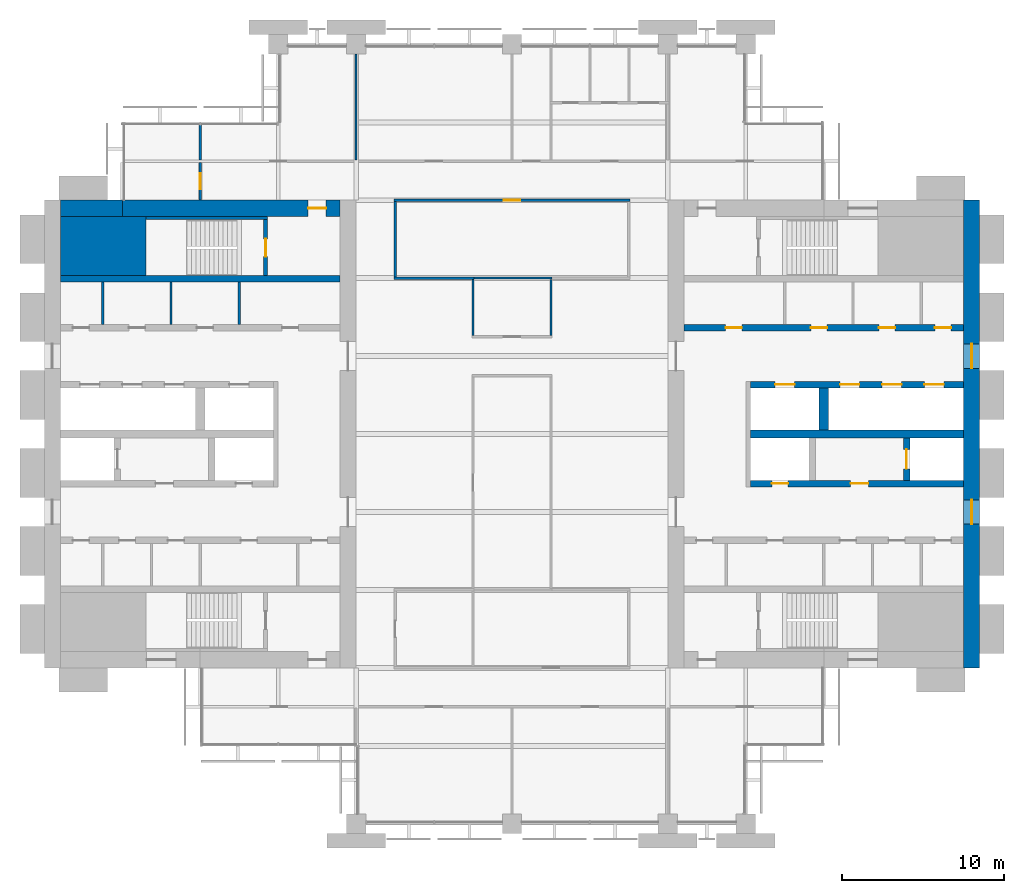
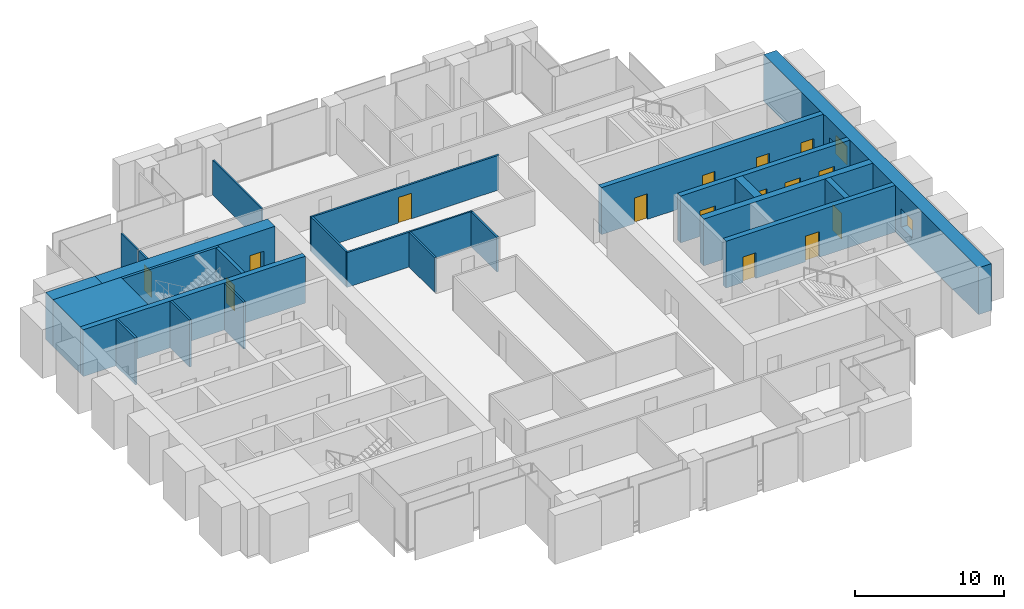
# One storey, part 11 of 14: 25 walls, 15 doors, 2 windows, 17 openings.
"""IFC4 building model written with IfcOpenShell, lengths in metres."""

import ifcopenshell
import ifcopenshell.guid

model = None  # the IFC model being written
_history = None  # IfcOwnerHistory: only IFC2X3 demands one
_inside = {}  # id of a spatial element -> (the spatial element, [elements in it])
_under = {}  # id of a project, library or spatial element -> (it, [spatial elements below it])
_declared = {}  # id of a project -> (the project, [libraries it declares])
_typed = {}  # id of a type object -> (the type object, [elements of that type])
_made_of = {}  # id of a material, layer set ... -> (it, [elements and type objects made of it])


def new_model(schema):
    """Start an empty IFC model of exactly this schema.

    Asked for "IFC4X3", IfcOpenShell would pick the latest addendum, in which some entities
    have other attributes; the version numbers below select the first issue.
    IFC2X3 requires an IfcOwnerHistory on every rooted entity: one is made here for all.
    """
    global model, _history
    if schema == "IFC4X3":
        model = ifcopenshell.file(schema_version=(4, 3, 0, 0))
    else:
        model = ifcopenshell.file(schema=schema)
    _inside.clear()
    _under.clear()
    _declared.clear()
    _typed.clear()
    _made_of.clear()
    _history = None
    if model.schema == "IFC2X3":
        org = make("IfcOrganization", Name="unknown")
        user = make(
            "IfcPersonAndOrganization",
            ThePerson=make("IfcPerson", FamilyName="unknown"),
            TheOrganization=org,
        )
        app = make(
            "IfcApplication",
            ApplicationDeveloper=org,
            Version="unknown",
            ApplicationFullName="unknown",
            ApplicationIdentifier="unknown",
        )
        _history = make(
            "IfcOwnerHistory",
            OwningUser=user,
            OwningApplication=app,
            ChangeAction="ADDED",
            CreationDate=0,
        )
    return model


def make(cls, **values):
    """One entity of the class cls with the attributes given. An attribute that is None is left unset."""
    return model.create_entity(
        cls, **{name: value for name, value in values.items() if value is not None}
    )


def rooted(cls, **values):
    """An entity with a GlobalId (a new one), such as an element, a storey or a relation."""
    return make(cls, GlobalId=ifcopenshell.guid.new(), OwnerHistory=_history, **values)


def si_unit(unit_type, name, prefix=None):
    """IfcSIUnit, for example si_unit("LENGTHUNIT", "METRE", prefix="MILLI")."""
    return make("IfcSIUnit", UnitType=unit_type, Prefix=prefix, Name=name)


def assignment(units):
    """IfcUnitAssignment: the units of a project."""
    return None if units is None else make("IfcUnitAssignment", Units=units)


def point(xyz):
    """IfcCartesianPoint."""
    return None if xyz is None else make("IfcCartesianPoint", Coordinates=xyz)


def direction(xyz):
    """IfcDirection."""
    return None if xyz is None else make("IfcDirection", DirectionRatios=xyz)


def frame(location, z_axis=None, x_axis=None):
    """IfcAxis2Placement3D, a coordinate frame: its origin and axes. An axis left out is left unset."""
    return make(
        "IfcAxis2Placement3D",
        Location=point(location),
        Axis=direction(z_axis),
        RefDirection=direction(x_axis),
    )


def frame_2d(location, x_axis=None):
    """IfcAxis2Placement2D, a coordinate frame in the plane: its origin and x axis."""
    return make(
        "IfcAxis2Placement2D", Location=point(location), RefDirection=direction(x_axis)
    )


def origin():
    """The frame at (0, 0, 0) with its axes left unset."""
    return frame((0.0, 0.0, 0.0))


def place(relative_to, where):
    """IfcLocalPlacement: puts the frame where relative to a parent placement (None: the world)."""
    return make(
        "IfcLocalPlacement", PlacementRelTo=relative_to, RelativePlacement=where
    )


def context(
    kind, dimensions, precision=None, world=None, true_north=None, identifier=None
):
    """IfcGeometricRepresentationContext, for example the 3D "Model" context."""
    return make(
        "IfcGeometricRepresentationContext",
        ContextIdentifier=identifier,
        ContextType=kind,
        CoordinateSpaceDimension=dimensions,
        Precision=precision,
        WorldCoordinateSystem=world,
        TrueNorth=true_north,
    )


def subcontext(parent, identifier, kind, view, scale=None):
    """IfcGeometricRepresentationSubContext, for example "Body" below "Model"."""
    return make(
        "IfcGeometricRepresentationSubContext",
        ContextIdentifier=identifier,
        ContextType=kind,
        ParentContext=parent,
        TargetScale=scale,
        TargetView=view,
    )


def project(units=None, contexts=None):
    """IfcProject with its units and contexts."""
    return rooted(
        "IfcProject",
        Name="project",
        RepresentationContexts=contexts,
        UnitsInContext=assignment(units),
    )


def spatial(cls, under=None, at=None, **own):
    """A site, building, storey or space (cls), placed at a placement, below another one or the project."""
    s = rooted(cls, ObjectPlacement=at, **own)
    if under is not None:
        _under.setdefault(under.id(), (under, []))[1].append(s)
    return s


def profile(cls, at=None, kind="AREA", **sizes):
    """A parametric profile (cls). Its sizes go by their IFC names, for example OverallWidth=200.0."""
    return make(cls, ProfileType=kind, Position=at, **sizes)


def rectangle(**sizes):
    """IfcRectangleProfileDef."""
    return profile("IfcRectangleProfileDef", **sizes)


def extrude(swept, where, along, depth):
    """IfcExtrudedAreaSolid: the profile swept, set in the frame where, extruded along a direction by depth."""
    return make(
        "IfcExtrudedAreaSolid",
        SweptArea=swept,
        Position=where,
        ExtrudedDirection=direction(along),
        Depth=depth,
    )


def shape(context_of_items, identifier, shape_type, items):
    """IfcShapeRepresentation: the items that make up one representation, for example the "Body"."""
    return make(
        "IfcShapeRepresentation",
        ContextOfItems=context_of_items,
        RepresentationIdentifier=identifier,
        RepresentationType=shape_type,
        Items=items,
    )


def material(Name=None, Category=None):
    """IfcMaterial."""
    return make("IfcMaterial", Name=Name, Category=Category)


def layer(
    of_material, thickness, ventilated=None, Name=None, Category=None, Priority=None
):
    """IfcMaterialLayer: one layer of a wall or slab, of a material (None: an air gap)."""
    return make(
        "IfcMaterialLayer",
        Material=of_material,
        LayerThickness=thickness,
        IsVentilated=ventilated,
        Name=Name,
        Category=Category,
        Priority=Priority,
    )


def layer_set(layers, Name=None):
    """IfcMaterialLayerSet."""
    return make("IfcMaterialLayerSet", MaterialLayers=layers, LayerSetName=Name)


def made_of(thing, what):
    """Note that an element or type object is made of a material, layer set ...; save() writes the relation."""
    if what is not None:
        _made_of.setdefault(what.id(), (what, []))[1].append(thing)
    return thing


def type_object(cls, material=None, **own):
    """A type object (cls), such as IfcWallType, which elements share."""
    return made_of(rooted(cls, **own), material)


def element(
    cls,
    number,
    at=None,
    inside=None,
    cuts=None,
    type_object=None,
    material=None,
    context=None,
    identifier="Body",
    shape_type=None,
    held_by="IfcProductDefinitionShape",
    body=None,
    shapes=None,
    **own,
):
    """One element of the class cls, such as IfcWall. Its Tag is "e" and its number.

    at: its placement. inside: the storey or other place that contains it. cuts: it is an
    opening in that element (IfcRelVoidsElement). A single representation is given by context,
    identifier, shape_type and body (its items); several are given by shapes. held_by: the class
    of the entity that holds the representations. save() writes the other relations.
    """
    e = rooted(cls, Tag="e%d" % number, ObjectPlacement=at, **own)
    if body is not None:
        shapes = [shape(context, identifier, shape_type, body)]
    if shapes is not None:
        e.Representation = make(held_by, Representations=shapes)
    if inside is not None:
        _inside.setdefault(inside.id(), (inside, []))[1].append(e)
    if cuts is not None:
        rooted(
            "IfcRelVoidsElement", RelatingBuildingElement=cuts, RelatedOpeningElement=e
        )
    if type_object is not None:
        _typed.setdefault(type_object.id(), (type_object, []))[1].append(e)
    return made_of(e, material)


def fill(opening, filler):
    """IfcRelFillsElement: the door or window that sits in an opening."""
    return rooted(
        "IfcRelFillsElement",
        RelatingOpeningElement=opening,
        RelatedBuildingElement=filler,
    )


def aggregate(whole, parts):
    """IfcRelAggregates: a whole, such as a stair, and the parts it consists of."""
    return rooted("IfcRelAggregates", RelatingObject=whole, RelatedObjects=parts)


def save(model, path):
    """Write the relations noted so far, then the file.

    IfcRelAggregates (storeys below a building ...), IfcRelContainedInSpatialStructure (elements
    in a storey), IfcRelDefinesByType, IfcRelAssociatesMaterial and IfcRelDeclares: one each for
    every whole, place, type object, material and project.
    """
    for whole, parts in _under.values():
        aggregate(whole, parts)
    for where, things in _inside.values():
        rooted(
            "IfcRelContainedInSpatialStructure",
            RelatedElements=things,
            RelatingStructure=where,
        )
    for kind, things in _typed.values():
        rooted("IfcRelDefinesByType", RelatedObjects=things, RelatingType=kind)
    for what, things in _made_of.values():
        rooted("IfcRelAssociatesMaterial", RelatedObjects=things, RelatingMaterial=what)
    for by, libraries in _declared.values():
        rooted("IfcRelDeclares", RelatingContext=by, RelatedDefinitions=libraries)
    model.write(path)


model = new_model("IFC4")

# Units and contexts
model_context = context("Model", 3, precision=1e-05, world=origin(), true_north=direction((0.0, 1.0)))
body_context = subcontext(model_context, "Body", "Model", "MODEL_VIEW")
ifc_project = project(units=[si_unit("LENGTHUNIT", "METRE"), si_unit("AREAUNIT", "SQUARE_METRE"), si_unit("VOLUMEUNIT", "CUBIC_METRE"), si_unit("PLANEANGLEUNIT", "RADIAN"), si_unit("MASSUNIT", "GRAM", prefix="KILO")], contexts=[model_context])

# Site, building, storey
site_placement = place(None, origin())
site = spatial("IfcSite", under=ifc_project, at=site_placement, CompositionType="ELEMENT")
building_placement = place(site_placement, origin())
building = spatial("IfcBuilding", under=site, at=building_placement, Name="Baori Bourse Tower", CompositionType="ELEMENT")
storey_placement = place(building_placement, frame((0.0, 0.0, 160.10009765625)))
storey = spatial("IfcBuildingStorey", under=building, at=storey_placement, Name="L35", CompositionType="ELEMENT", Elevation=160.10009765625)

# Walls
ifc_material_1 = material(Name="Concrete f'c 60 MPa", Category="concrete")
wall_type_1 = type_object("IfcWallType", Name="Core corner block f'c 60", PredefinedType="SHEAR", material=ifc_material_1)
wall_1_placement = place(storey_placement, frame((1.0, 35.574951171875, 0.0), z_axis=(0.0, 0.0, 1.0), x_axis=(1.0, 0.0, 0.0)))
element("IfcWall", 1, at=wall_1_placement, inside=storey, type_object=wall_type_1, Name="Core wall W27", PredefinedType="SHEAR", context=body_context, shape_type="SweptSolid", body=[
    extrude(rectangle(XDim=5.25, YDim=3.64990234375, at=frame_2d((2.625, 0.0))), origin(), (0.0, 0.0, 1.0), 3.83984375),
])
ifc_material_2 = material(Name="Blockwork partition", Category="masonry")
ifc_layer_1 = layer(ifc_material_2, 0.14990234375)
ifc_layer_set_1 = layer_set([ifc_layer_1], Name="Core partition 150")
wall_type_2 = type_object("IfcWallType", Name="Core partition 150", PredefinedType="PARTITIONING", material=ifc_layer_set_1)
for number, where, z_axis, x_axis, name in (
    (2, (3.60009765625, 30.75, 0.0), (0.0, 0.0, 1.0), (0.0, 1.0, 0.0), "Partition wall W23"),
    (3, (7.800048828125, 30.75, 0.0), (0.0, 0.0, 1.0), (0.0, 1.0, 0.0), "Partition wall W24"),
    (4, (12.0, 30.75, 0.0), (0.0, 0.0, 1.0), (0.0, 1.0, 0.0), "Partition wall W25"),
):
    element("IfcWall", number, at=place(storey_placement, frame(where, z_axis=z_axis, x_axis=x_axis)), inside=storey, type_object=wall_type_2, Name=name, PredefinedType="PARTITIONING", context=body_context, shape_type="SweptSolid", body=[
        extrude(rectangle(XDim=2.60009765625, YDim=0.14990234375, at=frame_2d((1.300048828125, 0.0))), origin(), (0.0, 0.0, 1.0), 3.83984375),
    ])
ifc_material_3 = material(Name="Concrete f'c 60 MPa", Category="concrete")
ifc_layer_2 = layer(ifc_material_3, 1.0)
ifc_layer_set_2 = layer_set([ifc_layer_2], Name="Core wall 1000 f'c 60")
wall_type_3 = type_object("IfcWallType", Name="Core wall 1000 f'c 60", PredefinedType="SHEAR", material=ifc_layer_set_2)
wall_2_placement = place(storey_placement, frame((1.0, 37.89990234375, 0.0), z_axis=(0.0, 0.0, 1.0), x_axis=(1.0, 0.0, 0.0)))
element("IfcWall", 5, at=wall_2_placement, inside=storey, type_object=wall_type_3, Name="Core wall W30", PredefinedType="SHEAR", context=body_context, shape_type="SweptSolid", body=[
    extrude(rectangle(XDim=3.800048828125, YDim=1.0, at=frame_2d((1.89990234375, 0.0))), origin(), (0.0, 0.0, 1.0), 3.83984375),
])

# Wall, opening, door
wall_3_placement = place(storey_placement, frame((4.800048828125, 37.89990234375, 0.0), z_axis=(0.0, 0.0, 1.0), x_axis=(1.0, 0.0, 0.0)))
wall_3 = element("IfcWall", 6, at=wall_3_placement, inside=storey, type_object=wall_type_3, Name="Core wall W31", PredefinedType="SHEAR", context=body_context, shape_type="SweptSolid", body=[
    extrude(rectangle(XDim=13.39990234375, YDim=1.0, at=frame_2d((6.699951171875, 0.0))), origin(), (0.0, 0.0, 1.0), 3.83984375),
])
opening_1_placement = place(wall_3_placement, frame((11.449951171875, 0.0, 0.0)))
opening_1 = element("IfcOpeningElement", 7, at=opening_1_placement, cuts=wall_3, Name="Opening L35-D104", PredefinedType="OPENING", context=body_context, shape_type="SweptSolid", body=[
    extrude(rectangle(XDim=1.10009765625, YDim=2.10009765625, at=frame_2d((0.550048828125, 1.050048828125))), frame((0.0, 0.510009765625, 0.0), z_axis=(0.0, -1.0, 0.0), x_axis=(1.0, 0.0, 0.0)), (0.0, 0.0, 1.0), 1.02001953125),
])
ifc_material_4 = material(Name="Painted steel door", Category="steel")
door_type_1 = type_object("IfcDoorType", Name="Stair door 1100", OperationType="SINGLE_SWING_LEFT", PredefinedType="DOOR", material=ifc_material_4)
door_1_placement = place(opening_1_placement, origin())
door_1 = element("IfcDoor", 8, at=door_1_placement, inside=storey, type_object=door_type_1, Name="Stair vestibule door B W L35", OperationType="SINGLE_SWING_LEFT", OverallHeight=2.10009765625, OverallWidth=1.10009765625, PredefinedType="DOOR", context=body_context, shape_type="SweptSolid", body=[
    extrude(rectangle(XDim=1.10009765625, YDim=2.10009765625, at=frame_2d((0.550048828125, 1.050048828125))), frame((0.0, 0.02490234375, 0.0), z_axis=(0.0, -1.0, 0.0), x_axis=(1.0, 0.0, 0.0)), (0.0, 0.0, 1.0), 0.050048828125),
])
fill(opening_1, door_1)

# Wall, openings, windows
wall_4_placement = place(storey_placement, frame((57.10009765625, 38.39990234375, 0.0), z_axis=(0.0, 0.0, 1.0), x_axis=(0.0, -1.0, 0.0)))
wall_4 = element("IfcWall", 9, at=wall_4_placement, inside=storey, type_object=wall_type_3, Name="Core wall E01", PredefinedType="SHEAR", context=body_context, shape_type="SweptSolid", body=[
    extrude(rectangle(XDim=28.7998046875, YDim=1.0, at=frame_2d((14.39990234375, 0.0))), origin(), (0.0, 0.0, 1.0), 3.83984375),
])
opening_2_placement = place(wall_4_placement, frame((18.449951171875, 0.0, 0.89990234375)))
opening_2 = element("IfcOpeningElement", 10, at=opening_2_placement, cuts=wall_4, Name="Opening L35-KW201", PredefinedType="OPENING", context=body_context, shape_type="SweptSolid", body=[
    extrude(rectangle(XDim=1.5, YDim=1.5, at=frame_2d((0.75, 0.75))), frame((0.0, 0.510009765625, 0.0), z_axis=(0.0, -1.0, 0.0), x_axis=(1.0, 0.0, 0.0)), (0.0, 0.0, 1.0), 1.02001953125),
])
opening_3_placement = place(wall_4_placement, frame((8.85009765625, 0.0, 0.89990234375)))
opening_3 = element("IfcOpeningElement", 11, at=opening_3_placement, cuts=wall_4, Name="Opening L35-KW202", PredefinedType="OPENING", context=body_context, shape_type="SweptSolid", body=[
    extrude(rectangle(XDim=1.5, YDim=1.5, at=frame_2d((0.75, 0.75))), frame((0.0, 0.510009765625, 0.0), z_axis=(0.0, -1.0, 0.0), x_axis=(1.0, 0.0, 0.0)), (0.0, 0.0, 1.0), 1.02001953125),
])
ifc_material_5 = material(Name="Pale anodised aluminium", Category="aluminium")
window_type = type_object("IfcWindowType", Name="Lobby window 1500 x 1500", PartitioningType="SINGLE_PANEL", PredefinedType="WINDOW", material=ifc_material_5)
window_1_placement = place(opening_2_placement, origin())
window_1 = element("IfcWindow", 12, at=window_1_placement, inside=storey, type_object=window_type, Name="Outer wall window E L35 1", OverallHeight=1.5, OverallWidth=1.5, PartitioningType="SINGLE_PANEL", PredefinedType="WINDOW", context=body_context, shape_type="SweptSolid", body=[
    extrude(rectangle(XDim=1.5, YDim=1.5, at=frame_2d((0.75, 0.75))), frame((0.0, 0.030029296875, 0.0), z_axis=(0.0, -1.0, 0.0), x_axis=(1.0, 0.0, 0.0)), (0.0, 0.0, 1.0), 0.06005859375),
])
fill(opening_2, window_1)
window_2_placement = place(opening_3_placement, origin())
window_2 = element("IfcWindow", 13, at=window_2_placement, inside=storey, type_object=window_type, Name="Outer wall window E L35 2", OverallHeight=1.5, OverallWidth=1.5, PartitioningType="SINGLE_PANEL", PredefinedType="WINDOW", context=body_context, shape_type="SweptSolid", body=[
    extrude(rectangle(XDim=1.5, YDim=1.5, at=frame_2d((0.75, 0.75))), frame((0.0, 0.030029296875, 0.0), z_axis=(0.0, -1.0, 0.0), x_axis=(1.0, 0.0, 0.0)), (0.0, 0.0, 1.0), 0.06005859375),
])
fill(opening_3, window_2)

# Wall
ifc_material_6 = material(Name="Gypsum board partition")
ifc_layer_3 = layer(ifc_material_6, 0.14990234375)
ifc_layer_set_3 = layer_set([ifc_layer_3], Name="Corridor partition 150")
wall_type_4 = type_object("IfcWallType", Name="Corridor partition 150", PredefinedType="PARTITIONING", material=ifc_layer_set_3)
wall_5_placement = place(storey_placement, frame((21.52490234375, 33.60009765625, 0.0), z_axis=(0.0, 0.0, 1.0), x_axis=(1.0, 0.0, 0.0)))
element("IfcWall", 14, at=wall_5_placement, inside=storey, type_object=wall_type_4, Name="Partition", PredefinedType="PARTITIONING", context=body_context, shape_type="SweptSolid", body=[
    extrude(rectangle(XDim=4.9501953125, YDim=0.14990234375, at=frame_2d((2.47509765625, 0.0))), origin(), (0.0, 0.0, 1.0), 2.849365234375),
])

# Wall, opening, door
wall_6_placement = place(storey_placement, frame((21.52490234375, 38.39990234375, 0.0), z_axis=(0.0, 0.0, 1.0), x_axis=(1.0, 0.0, 0.0)))
wall_6 = element("IfcWall", 15, at=wall_6_placement, inside=storey, type_object=wall_type_4, Name="Partition", PredefinedType="PARTITIONING", context=body_context, shape_type="SweptSolid", body=[
    extrude(rectangle(XDim=14.550048828125, YDim=0.14990234375, at=frame_2d((7.27490234375, 0.0))), origin(), (0.0, 0.0, 1.0), 2.849365234375),
])
opening_4_placement = place(wall_6_placement, frame((6.77490234375, 0.0, 0.0)))
opening_4 = element("IfcOpeningElement", 16, at=opening_4_placement, cuts=wall_6, Name="Opening L35-D07", PredefinedType="OPENING", context=body_context, shape_type="SweptSolid", body=[
    extrude(rectangle(XDim=1.0, YDim=2.10009765625, at=frame_2d((0.5, 1.050048828125))), frame((0.0, 0.0849609375, 0.0), z_axis=(0.0, -1.0, 0.0), x_axis=(1.0, 0.0, 0.0)), (0.0, 0.0, 1.0), 0.169921875),
])
ifc_material_7 = material(Name="Timber door leaf", Category="wood")
door_type_2 = type_object("IfcDoorType", Name="Door 1000 x 2100", OperationType="SINGLE_SWING_LEFT", PredefinedType="DOOR", material=ifc_material_7)
door_2_placement = place(opening_4_placement, origin())
door_2 = element("IfcDoor", 17, at=door_2_placement, inside=storey, type_object=door_type_2, Name="Door", OperationType="SINGLE_SWING_LEFT", OverallHeight=2.10009765625, OverallWidth=1.0, PredefinedType="DOOR", context=body_context, shape_type="SweptSolid", body=[
    extrude(rectangle(XDim=1.0, YDim=2.10009765625, at=frame_2d((0.5, 1.050048828125))), frame((0.0, 0.02490234375, 0.0), z_axis=(0.0, -1.0, 0.0), x_axis=(1.0, 0.0, 0.0)), (0.0, 0.0, 1.0), 0.050048828125),
])
fill(opening_4, door_2)

wall_7_placement = place(storey_placement, frame((9.60009765625, 38.39990234375, 0.0), z_axis=(0.0, 0.0, 1.0), x_axis=(0.0, 1.0, 0.0)))
wall_7 = element("IfcWall", 18, at=wall_7_placement, inside=storey, type_object=wall_type_4, Name="Partition", PredefinedType="PARTITIONING", context=body_context, shape_type="SweptSolid", body=[
    extrude(rectangle(XDim=2.3251953125, YDim=0.14990234375, at=frame_2d((1.16259765625, 0.0))), origin(), (0.0, 0.0, 1.0), 2.849365234375),
])
opening_5_placement = place(wall_7_placement, frame((0.66259765625, 0.0, 0.0)))
opening_5 = element("IfcOpeningElement", 19, at=opening_5_placement, cuts=wall_7, Name="Opening L35-D16", PredefinedType="OPENING", context=body_context, shape_type="SweptSolid", body=[
    extrude(rectangle(XDim=1.0, YDim=2.10009765625, at=frame_2d((0.5, 1.050048828125))), frame((0.0, 0.0849609375, 0.0), z_axis=(0.0, -1.0, 0.0), x_axis=(1.0, 0.0, 0.0)), (0.0, 0.0, 1.0), 0.169921875),
])
door_3_placement = place(opening_5_placement, origin())
door_3 = element("IfcDoor", 20, at=door_3_placement, inside=storey, type_object=door_type_2, Name="Door", OperationType="SINGLE_SWING_RIGHT", OverallHeight=2.10009765625, OverallWidth=1.0, PredefinedType="DOOR", context=body_context, shape_type="SweptSolid", body=[
    extrude(rectangle(XDim=1.0, YDim=2.10009765625, at=frame_2d((0.5, 1.050048828125))), frame((0.0, 0.02490234375, 0.0), z_axis=(0.0, -1.0, 0.0), x_axis=(1.0, 0.0, 0.0)), (0.0, 0.0, 1.0), 0.050048828125),
])
fill(opening_5, door_3)

# Walls
wall_8_placement = place(storey_placement, frame((21.60009765625, 33.675048828125, 0.0), z_axis=(0.0, 0.0, 1.0), x_axis=(0.0, 1.0, 0.0)))
element("IfcWall", 21, at=wall_8_placement, inside=storey, type_object=wall_type_4, Name="Partition", PredefinedType="PARTITIONING", context=body_context, shape_type="SweptSolid", body=[
    extrude(rectangle(XDim=4.64990234375, YDim=0.14990234375, at=frame_2d((2.324951171875, 0.0))), origin(), (0.0, 0.0, 1.0), 2.849365234375),
])
for number, where, z_axis, x_axis, name in (
    (22, (26.39990234375, 30.074951171875, 0.0), (0.0, 0.0, 1.0), (0.0, 1.0, 0.0), "Partition"),
    (23, (31.199951171875, 30.074951171875, 0.0), (0.0, 0.0, 1.0), (0.0, 1.0, 0.0), "Partition"),
):
    element("IfcWall", number, at=place(storey_placement, frame(where, z_axis=z_axis, x_axis=x_axis)), inside=storey, type_object=wall_type_4, Name=name, PredefinedType="PARTITIONING", context=body_context, shape_type="SweptSolid", body=[
        extrude(rectangle(XDim=3.449951171875, YDim=0.14990234375, at=frame_2d((1.72509765625, 0.0))), origin(), (0.0, 0.0, 1.0), 2.849365234375),
    ])
ifc_material_8 = material(Name="Gypsum board partition")
ifc_layer_4 = layer(ifc_material_8, 0.125)
ifc_layer_set_4 = layer_set([ifc_layer_4], Name="Partition 125")
wall_type_5 = type_object("IfcWallType", Name="Partition 125", PredefinedType="PARTITIONING", material=ifc_layer_set_4)
wall_9_placement = place(storey_placement, frame((26.47509765625, 33.60009765625, 0.0), z_axis=(0.0, 0.0, 1.0), x_axis=(1.0, 0.0, 0.0)))
element("IfcWall", 24, at=wall_9_placement, inside=storey, type_object=wall_type_5, Name="Partition", PredefinedType="PARTITIONING", context=body_context, shape_type="SweptSolid", body=[
    extrude(rectangle(XDim=4.7998046875, YDim=0.125, at=frame_2d((2.39990234375, 0.0))), origin(), (0.0, 0.0, 1.0), 2.849365234375),
])
wall_10_placement = place(storey_placement, frame((9.60009765625, 40.875, 0.0), z_axis=(0.0, 0.0, 1.0), x_axis=(0.0, 1.0, 0.0)))
element("IfcWall", 25, at=wall_10_placement, inside=storey, type_object=wall_type_5, Name="Partition", PredefinedType="PARTITIONING", context=body_context, shape_type="SweptSolid", body=[
    extrude(rectangle(XDim=2.22509765625, YDim=0.125, at=frame_2d((1.112548828125, 0.0))), origin(), (0.0, 0.0, 1.0), 2.849365234375),
])
wall_11_placement = place(storey_placement, frame((19.199951171875, 40.875, 0.0), z_axis=(0.0, 0.0, 1.0), x_axis=(0.0, 1.0, 0.0)))
element("IfcWall", 26, at=wall_11_placement, inside=storey, type_object=wall_type_5, Name="Partition", PredefinedType="PARTITIONING", context=body_context, shape_type="SweptSolid", body=[
    extrude(rectangle(XDim=6.52490234375, YDim=0.125, at=frame_2d((3.262451171875, 0.0))), origin(), (0.0, 0.0, 1.0), 2.849365234375),
])
ifc_material_9 = material(Name="Concrete f'c 60 MPa", Category="concrete")
ifc_layer_5 = layer(ifc_material_9, 0.199951171875)
ifc_layer_set_5 = layer_set([ifc_layer_5], Name="Shaft wall 200 f'c 60")
wall_type_6 = type_object("IfcWallType", Name="Shaft wall 200 f'c 60", PredefinedType="SHEAR", material=ifc_layer_set_5)
wall_12_placement = place(storey_placement, frame((6.25, 37.300048828125, 0.0), z_axis=(0.0, 0.0, 1.0), x_axis=(1.0, 0.0, 0.0)))
element("IfcWall", 27, at=wall_12_placement, inside=storey, type_object=wall_type_6, Name="Core wall W29", PredefinedType="SHEAR", context=body_context, shape_type="SweptSolid", body=[
    extrude(rectangle(XDim=7.5, YDim=0.199951171875, at=frame_2d((3.75, 0.0))), origin(), (0.0, 0.0, 1.0), 3.83984375),
])

# Wall, opening, door
ifc_material_10 = material(Name="Concrete f'c 60 MPa", Category="concrete")
ifc_layer_6 = layer(ifc_material_10, 0.25)
ifc_layer_set_6 = layer_set([ifc_layer_6], Name="Shaft wall 250 f'c 60")
wall_type_7 = type_object("IfcWallType", Name="Shaft wall 250 f'c 60", PredefinedType="SHEAR", material=ifc_layer_set_6)
wall_13_placement = place(storey_placement, frame((13.625, 33.75, 0.0), z_axis=(0.0, 0.0, 1.0), x_axis=(0.0, 1.0, 0.0)))
wall_13 = element("IfcWall", 28, at=wall_13_placement, inside=storey, type_object=wall_type_7, Name="Core wall W28", PredefinedType="SHEAR", context=body_context, shape_type="SweptSolid", body=[
    extrude(rectangle(XDim=3.449951171875, YDim=0.25, at=frame_2d((1.72509765625, 0.0))), origin(), (0.0, 0.0, 1.0), 3.83984375),
])
opening_6_placement = place(wall_13_placement, frame((1.175048828125, 0.0, 0.0)))
opening_6 = element("IfcOpeningElement", 29, at=opening_6_placement, cuts=wall_13, Name="Opening L35-D103", PredefinedType="OPENING", context=body_context, shape_type="SweptSolid", body=[
    extrude(rectangle(XDim=1.10009765625, YDim=2.10009765625, at=frame_2d((0.550048828125, 1.050048828125))), frame((0.0, 0.135009765625, 0.0), z_axis=(0.0, -1.0, 0.0), x_axis=(1.0, 0.0, 0.0)), (0.0, 0.0, 1.0), 0.27001953125),
])
door_4_placement = place(opening_6_placement, origin())
door_4 = element("IfcDoor", 30, at=door_4_placement, inside=storey, type_object=door_type_1, Name="Stair door B W L35", OperationType="SINGLE_SWING_LEFT", OverallHeight=2.10009765625, OverallWidth=1.10009765625, PredefinedType="DOOR", context=body_context, shape_type="SweptSolid", body=[
    extrude(rectangle(XDim=1.10009765625, YDim=2.10009765625, at=frame_2d((0.550048828125, 1.050048828125))), frame((0.0, 0.02490234375, 0.0), z_axis=(0.0, -1.0, 0.0), x_axis=(1.0, 0.0, 0.0)), (0.0, 0.0, 1.0), 0.050048828125),
])
fill(opening_6, door_4)

# Wall
ifc_material_11 = material(Name="Concrete f'c 60 MPa", Category="concrete")
ifc_layer_7 = layer(ifc_material_11, 0.39990234375)
ifc_layer_set_7 = layer_set([ifc_layer_7], Name="Shaft wall 400 f'c 60")
wall_type_8 = type_object("IfcWallType", Name="Shaft wall 400 f'c 60", PredefinedType="SHEAR", material=ifc_layer_set_7)
wall_14_placement = place(storey_placement, frame((1.0, 33.550048828125, 0.0), z_axis=(0.0, 0.0, 1.0), x_axis=(1.0, 0.0, 0.0)))
element("IfcWall", 31, at=wall_14_placement, inside=storey, type_object=wall_type_8, Name="Core wall W26", PredefinedType="SHEAR", context=body_context, shape_type="SweptSolid", body=[
    extrude(rectangle(XDim=17.199951171875, YDim=0.39990234375, at=frame_2d((8.60009765625, 0.0))), origin(), (0.0, 0.0, 1.0), 3.83984375),
])

# Wall, openings, doors
wall_15_placement = place(storey_placement, frame((43.5, 20.949951171875, 0.0), z_axis=(0.0, 0.0, 1.0), x_axis=(1.0, 0.0, 0.0)))
wall_15 = element("IfcWall", 32, at=wall_15_placement, inside=storey, type_object=wall_type_8, Name="Core wall E15", PredefinedType="SHEAR", context=body_context, shape_type="SweptSolid", body=[
    extrude(rectangle(XDim=13.10009765625, YDim=0.39990234375, at=frame_2d((6.550048828125, 0.0))), origin(), (0.0, 0.0, 1.0), 3.83984375),
])
opening_7_placement = place(wall_15_placement, frame((6.14990234375, 0.0, 0.0)))
opening_7 = element("IfcOpeningElement", 33, at=opening_7_placement, cuts=wall_15, Name="Opening L35-D205", PredefinedType="OPENING", context=body_context, shape_type="SweptSolid", body=[
    extrude(rectangle(XDim=1.10009765625, YDim=2.10009765625, at=frame_2d((0.550048828125, 1.050048828125))), frame((0.0, 0.2099609375, 0.0), z_axis=(0.0, -1.0, 0.0), x_axis=(1.0, 0.0, 0.0)), (0.0, 0.0, 1.0), 0.419921875),
])
opening_8_placement = place(wall_15_placement, frame((1.300048828125, 0.0, 0.0)))
opening_8 = element("IfcOpeningElement", 34, at=opening_8_placement, cuts=wall_15, Name="Opening L35-D206", PredefinedType="OPENING", context=body_context, shape_type="SweptSolid", body=[
    extrude(rectangle(XDim=1.0, YDim=2.10009765625, at=frame_2d((0.5, 1.050048828125))), frame((0.0, 0.2099609375, 0.0), z_axis=(0.0, -1.0, 0.0), x_axis=(1.0, 0.0, 0.0)), (0.0, 0.0, 1.0), 0.419921875),
])
ifc_material_12 = material(Name="Painted steel door", Category="steel")
door_type_3 = type_object("IfcDoorType", Name="Lobby door 1100", OperationType="SINGLE_SWING_LEFT", PredefinedType="DOOR", material=ifc_material_12)
door_5_placement = place(opening_7_placement, origin())
door_5 = element("IfcDoor", 35, at=door_5_placement, inside=storey, type_object=door_type_3, Name="Firefighting lobby door E L35", OperationType="SINGLE_SWING_LEFT", OverallHeight=2.10009765625, OverallWidth=1.10009765625, PredefinedType="DOOR", context=body_context, shape_type="SweptSolid", body=[
    extrude(rectangle(XDim=1.10009765625, YDim=2.10009765625, at=frame_2d((0.550048828125, 1.050048828125))), frame((0.0, 0.02490234375, 0.0), z_axis=(0.0, -1.0, 0.0), x_axis=(1.0, 0.0, 0.0)), (0.0, 0.0, 1.0), 0.050048828125),
])
fill(opening_7, door_5)
ifc_material_13 = material(Name="Painted steel door", Category="steel")
door_type_4 = type_object("IfcDoorType", Name="Shaft door 1000", OperationType="SINGLE_SWING_LEFT", PredefinedType="DOOR", material=ifc_material_13)
door_6_placement = place(opening_8_placement, origin())
door_6 = element("IfcDoor", 36, at=door_6_placement, inside=storey, type_object=door_type_4, Name="Riser room door E L35", OperationType="SINGLE_SWING_LEFT", OverallHeight=2.10009765625, OverallWidth=1.0, PredefinedType="DOOR", context=body_context, shape_type="SweptSolid", body=[
    extrude(rectangle(XDim=1.0, YDim=2.10009765625, at=frame_2d((0.5, 1.050048828125))), frame((0.0, 0.02490234375, 0.0), z_axis=(0.0, -1.0, 0.0), x_axis=(1.0, 0.0, 0.0)), (0.0, 0.0, 1.0), 0.050048828125),
])
fill(opening_8, door_6)

# Wall, opening, door
wall_16_placement = place(storey_placement, frame((53.10009765625, 21.14990234375, 0.0), z_axis=(0.0, 0.0, 1.0), x_axis=(0.0, 1.0, 0.0)))
wall_16 = element("IfcWall", 37, at=wall_16_placement, inside=storey, type_object=wall_type_8, Name="Core wall E17", PredefinedType="SHEAR", context=body_context, shape_type="SweptSolid", body=[
    extrude(rectangle(XDim=2.60009765625, YDim=0.39990234375, at=frame_2d((1.300048828125, 0.0))), origin(), (0.0, 0.0, 1.0), 3.83984375),
])
opening_9_placement = place(wall_16_placement, frame((0.699951171875, 0.0, 0.0)))
opening_9 = element("IfcOpeningElement", 38, at=opening_9_placement, cuts=wall_16, Name="Opening L35-D222", PredefinedType="OPENING", context=body_context, shape_type="SweptSolid", body=[
    extrude(rectangle(XDim=1.199951171875, YDim=2.10009765625, at=frame_2d((0.60009765625, 1.050048828125))), frame((0.0, 0.2099609375, 0.0), z_axis=(0.0, -1.0, 0.0), x_axis=(1.0, 0.0, 0.0)), (0.0, 0.0, 1.0), 0.419921875),
])
ifc_material_14 = material(Name="Stainless steel door", Category="steel")
door_type_5 = type_object("IfcDoorType", Name="Lift landing door", OperationType="DOUBLE_DOOR_SLIDING", PredefinedType="DOOR", material=ifc_material_14)
door_7_placement = place(opening_9_placement, origin())
door_7 = element("IfcDoor", 39, at=door_7_placement, inside=storey, type_object=door_type_5, Name="Lift landing door FF2 E L35", OperationType="DOUBLE_DOOR_SLIDING", OverallHeight=2.10009765625, OverallWidth=1.199951171875, PredefinedType="DOOR", context=body_context, shape_type="SweptSolid", body=[
    extrude(rectangle(XDim=1.199951171875, YDim=2.10009765625, at=frame_2d((0.60009765625, 1.050048828125))), frame((0.0, 0.02490234375, 0.0), z_axis=(0.0, -1.0, 0.0), x_axis=(1.0, 0.0, 0.0)), (0.0, 0.0, 1.0), 0.050048828125),
])
fill(opening_9, door_7)

# Wall, openings, doors
wall_17_placement = place(storey_placement, frame((43.5, 27.050048828125, 0.0), z_axis=(0.0, 0.0, 1.0), x_axis=(1.0, 0.0, 0.0)))
wall_17 = element("IfcWall", 40, at=wall_17_placement, inside=storey, type_object=wall_type_8, Name="Core wall E21", PredefinedType="SHEAR", context=body_context, shape_type="SweptSolid", body=[
    extrude(rectangle(XDim=13.10009765625, YDim=0.39990234375, at=frame_2d((6.550048828125, 0.0))), origin(), (0.0, 0.0, 1.0), 3.83984375),
])
opening_10_placement = place(wall_17_placement, frame((10.699951171875, 0.0, 0.0)))
opening_10 = element("IfcOpeningElement", 41, at=opening_10_placement, cuts=wall_17, Name="Opening L35-D218", PredefinedType="OPENING", context=body_context, shape_type="SweptSolid", body=[
    extrude(rectangle(XDim=1.199951171875, YDim=2.10009765625, at=frame_2d((0.60009765625, 1.050048828125))), frame((0.0, 0.2099609375, 0.0), z_axis=(0.0, -1.0, 0.0), x_axis=(1.0, 0.0, 0.0)), (0.0, 0.0, 1.0), 0.419921875),
])
opening_11_placement = place(wall_17_placement, frame((8.10009765625, 0.0, 0.0)))
opening_11 = element("IfcOpeningElement", 42, at=opening_11_placement, cuts=wall_17, Name="Opening L35-D219", PredefinedType="OPENING", context=body_context, shape_type="SweptSolid", body=[
    extrude(rectangle(XDim=1.199951171875, YDim=2.10009765625, at=frame_2d((0.60009765625, 1.050048828125))), frame((0.0, 0.2099609375, 0.0), z_axis=(0.0, -1.0, 0.0), x_axis=(1.0, 0.0, 0.0)), (0.0, 0.0, 1.0), 0.419921875),
])
opening_12_placement = place(wall_17_placement, frame((5.5, 0.0, 0.0)))
opening_12 = element("IfcOpeningElement", 43, at=opening_12_placement, cuts=wall_17, Name="Opening L35-D220", PredefinedType="OPENING", context=body_context, shape_type="SweptSolid", body=[
    extrude(rectangle(XDim=1.199951171875, YDim=2.10009765625, at=frame_2d((0.60009765625, 1.050048828125))), frame((0.0, 0.2099609375, 0.0), z_axis=(0.0, -1.0, 0.0), x_axis=(1.0, 0.0, 0.0)), (0.0, 0.0, 1.0), 0.419921875),
])
opening_13_placement = place(wall_17_placement, frame((1.5, 0.0, 0.0)))
opening_13 = element("IfcOpeningElement", 44, at=opening_13_placement, cuts=wall_17, Name="Opening L35-D221", PredefinedType="OPENING", context=body_context, shape_type="SweptSolid", body=[
    extrude(rectangle(XDim=1.199951171875, YDim=2.10009765625, at=frame_2d((0.60009765625, 1.050048828125))), frame((0.0, 0.2099609375, 0.0), z_axis=(0.0, -1.0, 0.0), x_axis=(1.0, 0.0, 0.0)), (0.0, 0.0, 1.0), 0.419921875),
])
door_8_placement = place(opening_10_placement, origin())
door_8 = element("IfcDoor", 45, at=door_8_placement, inside=storey, type_object=door_type_5, Name="Lift landing door SH1 E L35", OperationType="DOUBLE_DOOR_SLIDING", OverallHeight=2.10009765625, OverallWidth=1.199951171875, PredefinedType="DOOR", context=body_context, shape_type="SweptSolid", body=[
    extrude(rectangle(XDim=1.199951171875, YDim=2.10009765625, at=frame_2d((0.60009765625, 1.050048828125))), frame((0.0, 0.02490234375, 0.0), z_axis=(0.0, -1.0, 0.0), x_axis=(1.0, 0.0, 0.0)), (0.0, 0.0, 1.0), 0.050048828125),
])
fill(opening_10, door_8)
door_9_placement = place(opening_11_placement, origin())
door_9 = element("IfcDoor", 46, at=door_9_placement, inside=storey, type_object=door_type_5, Name="Lift landing door SH2 E L35", OperationType="DOUBLE_DOOR_SLIDING", OverallHeight=2.10009765625, OverallWidth=1.199951171875, PredefinedType="DOOR", context=body_context, shape_type="SweptSolid", body=[
    extrude(rectangle(XDim=1.199951171875, YDim=2.10009765625, at=frame_2d((0.60009765625, 1.050048828125))), frame((0.0, 0.02490234375, 0.0), z_axis=(0.0, -1.0, 0.0), x_axis=(1.0, 0.0, 0.0)), (0.0, 0.0, 1.0), 0.050048828125),
])
fill(opening_11, door_9)
door_10_placement = place(opening_12_placement, origin())
door_10 = element("IfcDoor", 47, at=door_10_placement, inside=storey, type_object=door_type_5, Name="Lift landing door SH3 E L35", OperationType="DOUBLE_DOOR_SLIDING", OverallHeight=2.10009765625, OverallWidth=1.199951171875, PredefinedType="DOOR", context=body_context, shape_type="SweptSolid", body=[
    extrude(rectangle(XDim=1.199951171875, YDim=2.10009765625, at=frame_2d((0.60009765625, 1.050048828125))), frame((0.0, 0.02490234375, 0.0), z_axis=(0.0, -1.0, 0.0), x_axis=(1.0, 0.0, 0.0)), (0.0, 0.0, 1.0), 0.050048828125),
])
fill(opening_12, door_10)
door_11_placement = place(opening_13_placement, origin())
door_11 = element("IfcDoor", 48, at=door_11_placement, inside=storey, type_object=door_type_5, Name="Lift landing door SV1 E L35", OperationType="DOUBLE_DOOR_SLIDING", OverallHeight=2.10009765625, OverallWidth=1.199951171875, PredefinedType="DOOR", context=body_context, shape_type="SweptSolid", body=[
    extrude(rectangle(XDim=1.199951171875, YDim=2.10009765625, at=frame_2d((0.60009765625, 1.050048828125))), frame((0.0, 0.02490234375, 0.0), z_axis=(0.0, -1.0, 0.0), x_axis=(1.0, 0.0, 0.0)), (0.0, 0.0, 1.0), 0.050048828125),
])
fill(opening_13, door_11)

wall_18_placement = place(storey_placement, frame((39.39990234375, 30.550048828125, 0.0), z_axis=(0.0, 0.0, 1.0), x_axis=(1.0, 0.0, 0.0)))
wall_18 = element("IfcWall", 49, at=wall_18_placement, inside=storey, type_object=wall_type_8, Name="Core wall E22", PredefinedType="SHEAR", context=body_context, shape_type="SweptSolid", body=[
    extrude(rectangle(XDim=17.2001953125, YDim=0.39990234375, at=frame_2d((8.60009765625, 0.0))), origin(), (0.0, 0.0, 1.0), 3.83984375),
])
opening_14_placement = place(wall_18_placement, frame((15.4375, 0.0, 0.0)))
opening_14 = element("IfcOpeningElement", 50, at=opening_14_placement, cuts=wall_18, Name="Opening L35-D209", PredefinedType="OPENING", context=body_context, shape_type="SweptSolid", body=[
    extrude(rectangle(XDim=1.0, YDim=2.10009765625, at=frame_2d((0.5, 1.050048828125))), frame((0.0, 0.2099609375, 0.0), z_axis=(0.0, -1.0, 0.0), x_axis=(1.0, 0.0, 0.0)), (0.0, 0.0, 1.0), 0.419921875),
])
opening_15_placement = place(wall_18_placement, frame((12.0, 0.0, 0.0)))
opening_15 = element("IfcOpeningElement", 51, at=opening_15_placement, cuts=wall_18, Name="Opening L35-D210", PredefinedType="OPENING", context=body_context, shape_type="SweptSolid", body=[
    extrude(rectangle(XDim=1.0, YDim=2.10009765625, at=frame_2d((0.5, 1.050048828125))), frame((0.0, 0.2099609375, 0.0), z_axis=(0.0, -1.0, 0.0), x_axis=(1.0, 0.0, 0.0)), (0.0, 0.0, 1.0), 0.419921875),
])
opening_16_placement = place(wall_18_placement, frame((7.800048828125, 0.0, 0.0)))
opening_16 = element("IfcOpeningElement", 52, at=opening_16_placement, cuts=wall_18, Name="Opening L35-D211", PredefinedType="OPENING", context=body_context, shape_type="SweptSolid", body=[
    extrude(rectangle(XDim=1.0, YDim=2.10009765625, at=frame_2d((0.5, 1.050048828125))), frame((0.0, 0.2099609375, 0.0), z_axis=(0.0, -1.0, 0.0), x_axis=(1.0, 0.0, 0.0)), (0.0, 0.0, 1.0), 0.419921875),
])
opening_17_placement = place(wall_18_placement, frame((2.5625, 0.0, 0.0)))
opening_17 = element("IfcOpeningElement", 53, at=opening_17_placement, cuts=wall_18, Name="Opening L35-D212", PredefinedType="OPENING", context=body_context, shape_type="SweptSolid", body=[
    extrude(rectangle(XDim=1.0, YDim=2.10009765625, at=frame_2d((0.5, 1.050048828125))), frame((0.0, 0.2099609375, 0.0), z_axis=(0.0, -1.0, 0.0), x_axis=(1.0, 0.0, 0.0)), (0.0, 0.0, 1.0), 0.419921875),
])
ifc_material_15 = material(Name="Painted steel door", Category="steel")
door_type_6 = type_object("IfcDoorType", Name="Core door 1000", OperationType="SINGLE_SWING_LEFT", PredefinedType="DOOR", material=ifc_material_15)
door_12_placement = place(opening_15_placement, origin())
door_12 = element("IfcDoor", 54, at=door_12_placement, inside=storey, type_object=door_type_6, Name="Women'S Wc door E L35", OperationType="SINGLE_SWING_LEFT", OverallHeight=2.10009765625, OverallWidth=1.0, PredefinedType="DOOR", context=body_context, shape_type="SweptSolid", body=[
    extrude(rectangle(XDim=1.0, YDim=2.10009765625, at=frame_2d((0.5, 1.050048828125))), frame((0.0, 0.02490234375, 0.0), z_axis=(0.0, -1.0, 0.0), x_axis=(1.0, 0.0, 0.0)), (0.0, 0.0, 1.0), 0.050048828125),
])
fill(opening_15, door_12)
door_13_placement = place(opening_16_placement, origin())
door_13 = element("IfcDoor", 55, at=door_13_placement, inside=storey, type_object=door_type_6, Name="Accessible Wc door E L35", OperationType="SINGLE_SWING_LEFT", OverallHeight=2.10009765625, OverallWidth=1.0, PredefinedType="DOOR", context=body_context, shape_type="SweptSolid", body=[
    extrude(rectangle(XDim=1.0, YDim=2.10009765625, at=frame_2d((0.5, 1.050048828125))), frame((0.0, 0.02490234375, 0.0), z_axis=(0.0, -1.0, 0.0), x_axis=(1.0, 0.0, 0.0)), (0.0, 0.0, 1.0), 0.050048828125),
])
fill(opening_16, door_13)
door_14_placement = place(opening_17_placement, origin())
door_14 = element("IfcDoor", 56, at=door_14_placement, inside=storey, type_object=door_type_6, Name="Men'S Wc door E L35", OperationType="SINGLE_SWING_LEFT", OverallHeight=2.10009765625, OverallWidth=1.0, PredefinedType="DOOR", context=body_context, shape_type="SweptSolid", body=[
    extrude(rectangle(XDim=1.0, YDim=2.10009765625, at=frame_2d((0.5, 1.050048828125))), frame((0.0, 0.02490234375, 0.0), z_axis=(0.0, -1.0, 0.0), x_axis=(1.0, 0.0, 0.0)), (0.0, 0.0, 1.0), 0.050048828125),
])
fill(opening_17, door_14)
ifc_material_16 = material(Name="Painted steel door", Category="steel")
door_type_7 = type_object("IfcDoorType", Name="Plant room door 1000", OperationType="SINGLE_SWING_LEFT", PredefinedType="DOOR", material=ifc_material_16)
door_15_placement = place(opening_14_placement, origin())
door_15 = element("IfcDoor", 57, at=door_15_placement, inside=storey, type_object=door_type_7, Name="Communications Room door E L35", OperationType="SINGLE_SWING_LEFT", OverallHeight=2.10009765625, OverallWidth=1.0, PredefinedType="DOOR", context=body_context, shape_type="SweptSolid", body=[
    extrude(rectangle(XDim=1.0, YDim=2.10009765625, at=frame_2d((0.5, 1.050048828125))), frame((0.0, 0.02490234375, 0.0), z_axis=(0.0, -1.0, 0.0), x_axis=(1.0, 0.0, 0.0)), (0.0, 0.0, 1.0), 0.050048828125),
])
fill(opening_14, door_15)

# Walls
ifc_material_17 = material(Name="Concrete f'c 60 MPa", Category="concrete")
ifc_layer_8 = layer(ifc_material_17, 0.5)
ifc_layer_set_8 = layer_set([ifc_layer_8], Name="Shaft wall 500 f'c 60")
wall_type_9 = type_object("IfcWallType", Name="Shaft wall 500 f'c 60", PredefinedType="SHEAR", material=ifc_layer_set_8)
wall_19_placement = place(storey_placement, frame((43.5, 24.0, 0.0), z_axis=(0.0, 0.0, 1.0), x_axis=(1.0, 0.0, 0.0)))
element("IfcWall", 58, at=wall_19_placement, inside=storey, type_object=wall_type_9, Name="Core wall E19", PredefinedType="SHEAR", context=body_context, shape_type="SweptSolid", body=[
    extrude(rectangle(XDim=13.10009765625, YDim=0.5, at=frame_2d((6.550048828125, 0.0))), origin(), (0.0, 0.0, 1.0), 3.83984375),
])
ifc_material_18 = material(Name="Concrete f'c 60 MPa", Category="concrete")
ifc_layer_9 = layer(ifc_material_18, 0.60009765625)
ifc_layer_set_9 = layer_set([ifc_layer_9], Name="Shaft wall 600 f'c 60")
wall_type_10 = type_object("IfcWallType", Name="Shaft wall 600 f'c 60", PredefinedType="SHEAR", material=ifc_layer_set_9)
wall_20_placement = place(storey_placement, frame((48.0, 24.25, 0.0), z_axis=(0.0, 0.0, 1.0), x_axis=(0.0, 1.0, 0.0)))
element("IfcWall", 59, at=wall_20_placement, inside=storey, type_object=wall_type_10, Name="Core wall E20", PredefinedType="SHEAR", context=body_context, shape_type="SweptSolid", body=[
    extrude(rectangle(XDim=2.60009765625, YDim=0.60009765625, at=frame_2d((1.300048828125, 0.0))), origin(), (0.0, 0.0, 1.0), 3.83984375),
])

save(model, "model.ifc")
